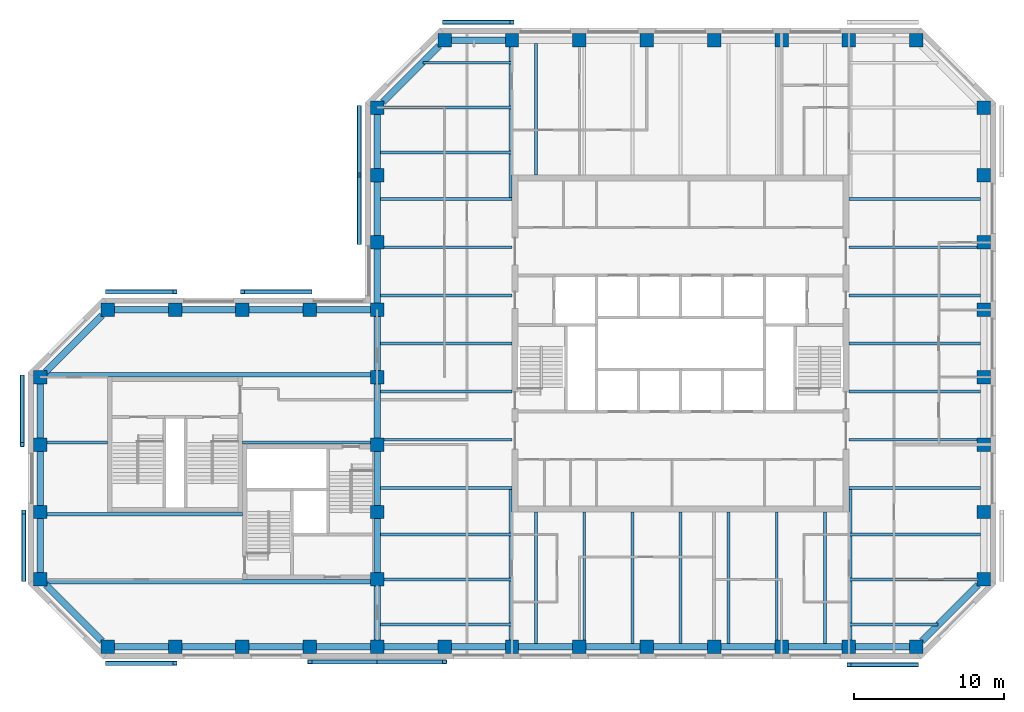
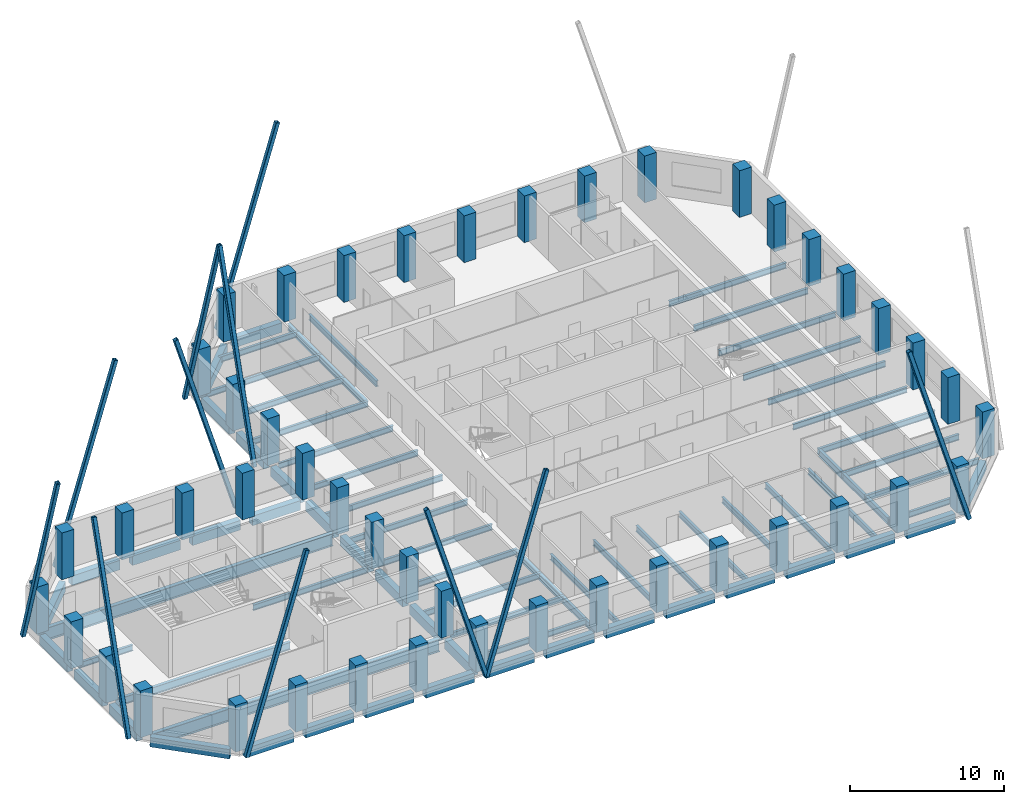
# One storey, part 1 of 9: 71 beams, 45 columns, 11 members.
"""IFC4 building model written with IfcOpenShell, lengths in metres."""

from ifc_helpers import new_model, si_unit, direction, frame, origin, origin_2d, place, context, subcontext, project, spatial, rectangle, hollow_rectangle, i_section, extrude, material, material_profile, profile_set, type_object, element, save


model = new_model("IFC4")

# Units and contexts
model_context = context("Model", 3, precision=1e-05, world=origin(), true_north=direction((0.0, 1.0)))
body_context = subcontext(model_context, "Body", "Model", "MODEL_VIEW")
ifc_project = project(units=[si_unit("LENGTHUNIT", "METRE"), si_unit("AREAUNIT", "SQUARE_METRE"), si_unit("VOLUMEUNIT", "CUBIC_METRE"), si_unit("PLANEANGLEUNIT", "RADIAN"), si_unit("MASSUNIT", "GRAM", prefix="KILO")], contexts=[model_context])

# Site, building, storey
site_placement = place(None, origin())
site = spatial("IfcSite", under=ifc_project, at=site_placement, CompositionType="ELEMENT")
building_placement = place(site_placement, origin())
building = spatial("IfcBuilding", under=site, at=building_placement, Name="Quoin Convention Tower", CompositionType="ELEMENT")
storey_placement = place(building_placement, frame((0.0, 0.0, 219.300048828125)))
storey = spatial("IfcBuildingStorey", under=building, at=storey_placement, Name="L57", CompositionType="ELEMENT", Elevation=219.300048828125)

# Columns
ifc_material_1 = material(Name="Concrete C50", Category="concrete")
ifc_material_profile_1 = material_profile(ifc_material_1, rectangle(XDim=0.89990234375, YDim=0.89990234375, at=origin_2d()), Name="RC 900x900")
ifc_profile_set_1 = profile_set([ifc_material_profile_1], Name="Concrete C50")
column_type = type_object("IfcColumnType", Name="RC 900x900 C50", PredefinedType="COLUMN", material=ifc_profile_set_1)
for number, where, z_axis, x_axis, name in (
    (1, (18.0, 40.5, 0.0), (0.0, 0.0, 1.0), (1.0, 0.0, 0.0), "col-L57-18000_40500"),
    (2, (22.5, 40.5, 0.0), (0.0, 0.0, 1.0), (1.0, 0.0, 0.0), "col-L57-22500_40500"),
    (3, (27.0, 40.5, 0.0), (0.0, 0.0, 1.0), (1.0, 0.0, 0.0), "col-L57-27000_40500"),
    (4, (31.5, 40.5, 0.0), (0.0, 0.0, 1.0), (1.0, 0.0, 0.0), "col-L57-31500_40500"),
    (5, (36.0, 40.5, 0.0), (0.0, 0.0, 1.0), (1.0, 0.0, 0.0), "col-L57-36000_40500"),
    (6, (40.5, 40.5, 0.0), (0.0, 0.0, 1.0), (1.0, 0.0, 0.0), "col-L57-40500_40500"),
    (7, (45.0, 40.5, 0.0), (0.0, 0.0, 1.0), (1.0, 0.0, 0.0), "col-L57-45000_40500"),
    (8, (49.5, 40.5, 0.0), (0.0, 0.0, 1.0), (1.0, 0.0, 0.0), "col-L57-49500_40500"),
    (9, (54.0, 40.5, 0.0), (0.0, 0.0, 1.0), (1.0, 0.0, 0.0), "col-L57-54000_40500"),
    (10, (58.5, 40.5, 0.0), (0.0, 0.0, 1.0), (1.0, 0.0, 0.0), "col-L57-58500_40500"),
    (11, (63.0, 40.5, 0.0), (0.0, 0.0, 1.0), (1.0, 0.0, 0.0), "col-L57-63000_40500"),
    (12, (67.5, 40.5, 0.0), (0.0, 0.0, 1.0), (1.0, 0.0, 0.0), "col-L57-67500_40500"),
    (13, (72.0, 40.5, 0.0), (0.0, 0.0, 1.0), (1.0, 0.0, 0.0), "col-L57-72000_40500"),
    (14, (13.5, 45.0, 0.0), (0.0, 0.0, 1.0), (1.0, 0.0, 0.0), "col-L57-13500_45000"),
    (15, (36.0, 45.0, 0.0), (0.0, 0.0, 1.0), (1.0, 0.0, 0.0), "web-L57-36000_45000"),
    (16, (76.5, 45.0, 0.0), (0.0, 0.0, 1.0), (1.0, 0.0, 0.0), "col-L57-76500_45000"),
    (17, (13.5, 49.5, 0.0), (0.0, 0.0, 1.0), (1.0, 0.0, 0.0), "col-L57-13500_49500"),
    (18, (36.0, 49.5, 0.0), (0.0, 0.0, 1.0), (1.0, 0.0, 0.0), "web-L57-36000_49500"),
    (19, (76.5, 49.5, 0.0), (0.0, 0.0, 1.0), (1.0, 0.0, 0.0), "col-L57-76500_49500"),
    (20, (13.5, 54.0, 0.0), (0.0, 0.0, 1.0), (1.0, 0.0, 0.0), "col-L57-13500_54000"),
    (21, (36.0, 54.0, 0.0), (0.0, 0.0, 1.0), (1.0, 0.0, 0.0), "web-L57-36000_54000"),
    (22, (76.5, 54.0, 0.0), (0.0, 0.0, 1.0), (1.0, 0.0, 0.0), "col-L57-76500_54000"),
    (23, (13.5, 58.5, 0.0), (0.0, 0.0, 1.0), (1.0, 0.0, 0.0), "col-L57-13500_58500"),
    (24, (36.0, 58.5, 0.0), (0.0, 0.0, 1.0), (1.0, 0.0, 0.0), "web-L57-36000_58500"),
    (25, (76.5, 58.5, 0.0), (0.0, 0.0, 1.0), (1.0, 0.0, 0.0), "col-L57-76500_58500"),
    (26, (18.0, 63.0, 0.0), (0.0, 0.0, 1.0), (1.0, 0.0, 0.0), "col-L57-18000_63000"),
    (27, (22.5, 63.0, 0.0), (0.0, 0.0, 1.0), (1.0, 0.0, 0.0), "col-L57-22500_63000"),
    (28, (27.0, 63.0, 0.0), (0.0, 0.0, 1.0), (1.0, 0.0, 0.0), "col-L57-27000_63000"),
    (29, (31.5, 63.0, 0.0), (0.0, 0.0, 1.0), (1.0, 0.0, 0.0), "col-L57-31500_63000"),
    (30, (36.0, 63.0, 0.0), (0.0, 0.0, 1.0), (1.0, 0.0, 0.0), "col-L57-36000_63000"),
    (31, (76.5, 63.0, 0.0), (0.0, 0.0, 1.0), (1.0, 0.0, 0.0), "col-L57-76500_63000"),
    (32, (36.0, 67.5, 0.0), (0.0, 0.0, 1.0), (1.0, 0.0, 0.0), "col-L57-36000_67500"),
    (33, (76.5, 67.5, 0.0), (0.0, 0.0, 1.0), (1.0, 0.0, 0.0), "col-L57-76500_67500"),
    (34, (36.0, 72.0, 0.0), (0.0, 0.0, 1.0), (1.0, 0.0, 0.0), "col-L57-36000_72000"),
    (35, (76.5, 72.0, 0.0), (0.0, 0.0, 1.0), (1.0, 0.0, 0.0), "col-L57-76500_72000"),
    (36, (36.0, 76.5, 0.0), (0.0, 0.0, 1.0), (1.0, 0.0, 0.0), "col-L57-36000_76500"),
    (37, (76.5, 76.5, 0.0), (0.0, 0.0, 1.0), (1.0, 0.0, 0.0), "col-L57-76500_76500"),
    (38, (40.5, 81.0, 0.0), (0.0, 0.0, 1.0), (1.0, 0.0, 0.0), "col-L57-40500_81000"),
    (39, (45.0, 81.0, 0.0), (0.0, 0.0, 1.0), (1.0, 0.0, 0.0), "col-L57-45000_81000"),
    (40, (49.5, 81.0, 0.0), (0.0, 0.0, 1.0), (1.0, 0.0, 0.0), "col-L57-49500_81000"),
    (41, (54.0, 81.0, 0.0), (0.0, 0.0, 1.0), (1.0, 0.0, 0.0), "col-L57-54000_81000"),
    (42, (58.5, 81.0, 0.0), (0.0, 0.0, 1.0), (1.0, 0.0, 0.0), "col-L57-58500_81000"),
    (43, (63.0, 81.0, 0.0), (0.0, 0.0, 1.0), (1.0, 0.0, 0.0), "col-L57-63000_81000"),
    (44, (67.5, 81.0, 0.0), (0.0, 0.0, 1.0), (1.0, 0.0, 0.0), "col-L57-67500_81000"),
    (45, (72.0, 81.0, 0.0), (0.0, 0.0, 1.0), (1.0, 0.0, 0.0), "col-L57-72000_81000"),
):
    element("IfcColumn", number, at=place(storey_placement, frame(where, z_axis=z_axis, x_axis=x_axis)), inside=storey, type_object=column_type, Name=name, PredefinedType="COLUMN", context=body_context, shape_type="SweptSolid", body=[
        extrude(rectangle(XDim=0.89990234375, YDim=0.89990234375, at=origin_2d()), origin(), (0.0, 0.0, 1.0), 3.699951171875),
    ])

# Beams
ifc_material_2 = material(Name="Steel Grade 300", Category="steel")
ifc_material_profile_2 = material_profile(ifc_material_2, i_section(OverallWidth=0.300048828125, OverallDepth=1.0, WebThickness=0.01611328125, FlangeThickness=0.02001953125, at=origin_2d()), Name="1000WB215")
ifc_profile_set_2 = profile_set([ifc_material_profile_2], Name="Steel Grade 300")
beam_type_1 = type_object("IfcBeamType", Name="1000WB215", PredefinedType="BEAM", material=ifc_profile_set_2)
for number, where, z_axis, x_axis, name in (
    (46, (13.949951171875, 44.85009765625, -0.650146484375), (1.0, 0.0, 0.0), (0.0, 1.0, 0.0), "gir-L57-ST2-1-0"),
    (47, (13.949951171875, 58.64990234375, -0.650146484375), (1.0, 0.0, 0.0), (0.0, 1.0, 0.0), "gir-L57-ST2-4-0"),
):
    element("IfcBeam", number, at=place(storey_placement, frame(where, z_axis=z_axis, x_axis=x_axis)), inside=storey, type_object=beam_type_1, Name=name, PredefinedType="BEAM", context=body_context, shape_type="SweptSolid", body=[
        extrude(i_section(OverallWidth=0.300048828125, OverallDepth=1.0, WebThickness=0.01611328125, FlangeThickness=0.02001953125, at=origin_2d()), origin(), (0.0, 0.0, 1.0), 21.60009765625),
    ])
ifc_material_profile_3 = material_profile(ifc_material_2, i_section(OverallWidth=0.18994140625, OverallDepth=0.4541015625, WebThickness=0.008544921875, FlangeThickness=0.0126953125, FilletRadius=0.011474609375, at=origin_2d()), Name="460UB67.1")
ifc_profile_set_3 = profile_set([ifc_material_profile_3], Name="Steel Grade 300")
beam_type_2 = type_object("IfcBeamType", Name="460UB67.1", PredefinedType="BEAM", material=ifc_profile_set_3)
beam_1_placement = place(storey_placement, frame((36.22509765625, 51.107177734375, -0.376953125), z_axis=(1.0, 0.0, 0.0), x_axis=(0.0, 1.0, 0.0)))
element("IfcBeam", 48, at=beam_1_placement, inside=storey, type_object=beam_type_2, Name="bm-L57-T1W0", PredefinedType="BEAM", context=body_context, shape_type="SweptSolid", body=[
    extrude(i_section(OverallWidth=0.18994140625, OverallDepth=0.4541015625, WebThickness=0.008544921875, FlangeThickness=0.0126953125, FilletRadius=0.011474609375, at=origin_2d()), origin(), (0.0, 0.0, 1.0), 8.77490234375),
])
beam_2_placement = place(storey_placement, frame((36.449951171875, 54.3212890625, -0.376953125), z_axis=(1.0, 0.0, 0.0), x_axis=(0.0, 1.0, 0.0)))
element("IfcBeam", 49, at=beam_2_placement, inside=storey, type_object=beam_type_2, Name="bm-L57-T1W1", PredefinedType="BEAM", context=body_context, shape_type="SweptSolid", body=[
    extrude(i_section(OverallWidth=0.18994140625, OverallDepth=0.4541015625, WebThickness=0.008544921875, FlangeThickness=0.0126953125, FilletRadius=0.011474609375, at=origin_2d()), origin(), (0.0, 0.0, 1.0), 8.550048828125),
])
for number, where, z_axis, x_axis, name in (
    (50, (36.22509765625, 57.53564453125, -0.376953125), (1.0, 0.0, 0.0), (0.0, 1.0, 0.0), "bm-L57-T1W2"),
    (51, (36.22509765625, 60.75, -0.376953125), (1.0, 0.0, 0.0), (0.0, 1.0, 0.0), "bm-L57-T1W3"),
    (52, (36.22509765625, 63.96435546875, -0.376953125), (1.0, 0.0, 0.0), (0.0, 1.0, 0.0), "bm-L57-T1W4"),
):
    element("IfcBeam", number, at=place(storey_placement, frame(where, z_axis=z_axis, x_axis=x_axis)), inside=storey, type_object=beam_type_2, Name=name, PredefinedType="BEAM", context=body_context, shape_type="SweptSolid", body=[
        extrude(i_section(OverallWidth=0.18994140625, OverallDepth=0.4541015625, WebThickness=0.008544921875, FlangeThickness=0.0126953125, FilletRadius=0.011474609375, at=origin_2d()), origin(), (0.0, 0.0, 1.0), 8.77490234375),
    ])
beam_3_placement = place(storey_placement, frame((36.449951171875, 67.1787109375, -0.376953125), z_axis=(1.0, 0.0, 0.0), x_axis=(0.0, 1.0, 0.0)))
element("IfcBeam", 53, at=beam_3_placement, inside=storey, type_object=beam_type_2, Name="bm-L57-T1W5", PredefinedType="BEAM", context=body_context, shape_type="SweptSolid", body=[
    extrude(i_section(OverallWidth=0.18994140625, OverallDepth=0.4541015625, WebThickness=0.008544921875, FlangeThickness=0.0126953125, FilletRadius=0.011474609375, at=origin_2d()), origin(), (0.0, 0.0, 1.0), 8.550048828125),
])
for number, where, z_axis, x_axis, name in (
    (54, (36.22509765625, 70.392822265625, -0.376953125), (1.0, 0.0, 0.0), (0.0, 1.0, 0.0), "bm-L57-T1W6"),
    (55, (67.5, 51.107177734375, -0.376953125), (1.0, 0.0, 0.0), (0.0, 1.0, 0.0), "bm-L57-T1E0"),
):
    element("IfcBeam", number, at=place(storey_placement, frame(where, z_axis=z_axis, x_axis=x_axis)), inside=storey, type_object=beam_type_2, Name=name, PredefinedType="BEAM", context=body_context, shape_type="SweptSolid", body=[
        extrude(i_section(OverallWidth=0.18994140625, OverallDepth=0.4541015625, WebThickness=0.008544921875, FlangeThickness=0.0126953125, FilletRadius=0.011474609375, at=origin_2d()), origin(), (0.0, 0.0, 1.0), 8.77490234375),
    ])
beam_4_placement = place(storey_placement, frame((67.5, 54.3212890625, -0.376953125), z_axis=(1.0, 0.0, 0.0), x_axis=(0.0, 1.0, 0.0)))
element("IfcBeam", 56, at=beam_4_placement, inside=storey, type_object=beam_type_2, Name="bm-L57-T1E1", PredefinedType="BEAM", context=body_context, shape_type="SweptSolid", body=[
    extrude(i_section(OverallWidth=0.18994140625, OverallDepth=0.4541015625, WebThickness=0.008544921875, FlangeThickness=0.0126953125, FilletRadius=0.011474609375, at=origin_2d()), origin(), (0.0, 0.0, 1.0), 8.550048828125),
])
for number, where, z_axis, x_axis, name in (
    (57, (67.5, 57.53564453125, -0.376953125), (1.0, 0.0, 0.0), (0.0, 1.0, 0.0), "bm-L57-T1E2"),
    (58, (67.5, 60.75, -0.376953125), (1.0, 0.0, 0.0), (0.0, 1.0, 0.0), "bm-L57-T1E3"),
    (59, (67.5, 63.96435546875, -0.376953125), (1.0, 0.0, 0.0), (0.0, 1.0, 0.0), "bm-L57-T1E4"),
):
    element("IfcBeam", number, at=place(storey_placement, frame(where, z_axis=z_axis, x_axis=x_axis)), inside=storey, type_object=beam_type_2, Name=name, PredefinedType="BEAM", context=body_context, shape_type="SweptSolid", body=[
        extrude(i_section(OverallWidth=0.18994140625, OverallDepth=0.4541015625, WebThickness=0.008544921875, FlangeThickness=0.0126953125, FilletRadius=0.011474609375, at=origin_2d()), origin(), (0.0, 0.0, 1.0), 8.77490234375),
    ])
beam_5_placement = place(storey_placement, frame((67.5, 67.1787109375, -0.376953125), z_axis=(1.0, 0.0, 0.0), x_axis=(0.0, 1.0, 0.0)))
element("IfcBeam", 60, at=beam_5_placement, inside=storey, type_object=beam_type_2, Name="bm-L57-T1E5", PredefinedType="BEAM", context=body_context, shape_type="SweptSolid", body=[
    extrude(i_section(OverallWidth=0.18994140625, OverallDepth=0.4541015625, WebThickness=0.008544921875, FlangeThickness=0.0126953125, FilletRadius=0.011474609375, at=origin_2d()), origin(), (0.0, 0.0, 1.0), 8.550048828125),
])
for number, where, z_axis, x_axis, name in (
    (61, (67.5, 70.392822265625, -0.376953125), (1.0, 0.0, 0.0), (0.0, 1.0, 0.0), "bm-L57-T1E6"),
    (62, (46.607177734375, 40.72509765625, -0.376953125), (0.0, 1.0, 0.0), (-1.0, 0.0, 0.0), "bm-L57-T1S0"),
):
    element("IfcBeam", number, at=place(storey_placement, frame(where, z_axis=z_axis, x_axis=x_axis)), inside=storey, type_object=beam_type_2, Name=name, PredefinedType="BEAM", context=body_context, shape_type="SweptSolid", body=[
        extrude(i_section(OverallWidth=0.18994140625, OverallDepth=0.4541015625, WebThickness=0.008544921875, FlangeThickness=0.0126953125, FilletRadius=0.011474609375, at=origin_2d()), origin(), (0.0, 0.0, 1.0), 8.77490234375),
    ])
beam_6_placement = place(storey_placement, frame((49.8212890625, 40.949951171875, -0.376953125), z_axis=(0.0, 1.0, 0.0), x_axis=(-1.0, 0.0, 0.0)))
element("IfcBeam", 63, at=beam_6_placement, inside=storey, type_object=beam_type_2, Name="bm-L57-T1S1", PredefinedType="BEAM", context=body_context, shape_type="SweptSolid", body=[
    extrude(i_section(OverallWidth=0.18994140625, OverallDepth=0.4541015625, WebThickness=0.008544921875, FlangeThickness=0.0126953125, FilletRadius=0.011474609375, at=origin_2d()), origin(), (0.0, 0.0, 1.0), 8.550048828125),
])
for number, where, z_axis, x_axis, name in (
    (64, (53.03564453125, 40.72509765625, -0.376953125), (0.0, 1.0, 0.0), (-1.0, 0.0, 0.0), "bm-L57-T1S2"),
    (65, (56.25, 40.72509765625, -0.376953125), (0.0, 1.0, 0.0), (-1.0, 0.0, 0.0), "bm-L57-T1S3"),
    (66, (59.46435546875, 40.72509765625, -0.376953125), (0.0, 1.0, 0.0), (-1.0, 0.0, 0.0), "bm-L57-T1S4"),
):
    element("IfcBeam", number, at=place(storey_placement, frame(where, z_axis=z_axis, x_axis=x_axis)), inside=storey, type_object=beam_type_2, Name=name, PredefinedType="BEAM", context=body_context, shape_type="SweptSolid", body=[
        extrude(i_section(OverallWidth=0.18994140625, OverallDepth=0.4541015625, WebThickness=0.008544921875, FlangeThickness=0.0126953125, FilletRadius=0.011474609375, at=origin_2d()), origin(), (0.0, 0.0, 1.0), 8.77490234375),
    ])
beam_7_placement = place(storey_placement, frame((62.6787109375, 40.949951171875, -0.376953125), z_axis=(0.0, 1.0, 0.0), x_axis=(-1.0, 0.0, 0.0)))
element("IfcBeam", 67, at=beam_7_placement, inside=storey, type_object=beam_type_2, Name="bm-L57-T1S5", PredefinedType="BEAM", context=body_context, shape_type="SweptSolid", body=[
    extrude(i_section(OverallWidth=0.18994140625, OverallDepth=0.4541015625, WebThickness=0.008544921875, FlangeThickness=0.0126953125, FilletRadius=0.011474609375, at=origin_2d()), origin(), (0.0, 0.0, 1.0), 8.550048828125),
])
for number, where, z_axis, x_axis, name in (
    (68, (65.892822265625, 40.72509765625, -0.376953125), (0.0, 1.0, 0.0), (-1.0, 0.0, 0.0), "bm-L57-T1S6"),
    (69, (46.607177734375, 72.0, -0.376953125), (0.0, 1.0, 0.0), (-1.0, 0.0, 0.0), "bm-L57-T1N0"),
    (70, (36.22509765625, 42.0, -0.376953125), (1.0, 0.0, 0.0), (0.0, 1.0, 0.0), "bm-L57-T1SW0"),
):
    element("IfcBeam", number, at=place(storey_placement, frame(where, z_axis=z_axis, x_axis=x_axis)), inside=storey, type_object=beam_type_2, Name=name, PredefinedType="BEAM", context=body_context, shape_type="SweptSolid", body=[
        extrude(i_section(OverallWidth=0.18994140625, OverallDepth=0.4541015625, WebThickness=0.008544921875, FlangeThickness=0.0126953125, FilletRadius=0.011474609375, at=origin_2d()), origin(), (0.0, 0.0, 1.0), 8.77490234375),
    ])
beam_8_placement = place(storey_placement, frame((36.449951171875, 45.0, -0.376953125), z_axis=(1.0, 0.0, 0.0), x_axis=(0.0, 1.0, 0.0)))
element("IfcBeam", 71, at=beam_8_placement, inside=storey, type_object=beam_type_2, Name="bm-L57-T1SW1", PredefinedType="BEAM", context=body_context, shape_type="SweptSolid", body=[
    extrude(i_section(OverallWidth=0.18994140625, OverallDepth=0.4541015625, WebThickness=0.008544921875, FlangeThickness=0.0126953125, FilletRadius=0.011474609375, at=origin_2d()), origin(), (0.0, 0.0, 1.0), 8.550048828125),
])
beam_9_placement = place(storey_placement, frame((36.22509765625, 48.0, -0.376953125), z_axis=(1.0, 0.0, 0.0), x_axis=(0.0, 1.0, 0.0)))
element("IfcBeam", 72, at=beam_9_placement, inside=storey, type_object=beam_type_2, Name="bm-L57-T1SW2", PredefinedType="BEAM", context=body_context, shape_type="SweptSolid", body=[
    extrude(i_section(OverallWidth=0.18994140625, OverallDepth=0.4541015625, WebThickness=0.008544921875, FlangeThickness=0.0126953125, FilletRadius=0.011474609375, at=origin_2d()), origin(), (0.0, 0.0, 1.0), 8.77490234375),
])
beam_10_placement = place(storey_placement, frame((67.5, 42.0, -0.376953125), z_axis=(1.0, 0.0, 0.0), x_axis=(0.0, 1.0, 0.0)))
element("IfcBeam", 73, at=beam_10_placement, inside=storey, type_object=beam_type_2, Name="bm-L57-T1SE0", PredefinedType="BEAM", context=body_context, shape_type="SweptSolid", body=[
    extrude(i_section(OverallWidth=0.18994140625, OverallDepth=0.4541015625, WebThickness=0.008544921875, FlangeThickness=0.0126953125, FilletRadius=0.011474609375, at=origin_2d()), origin(), (0.0, 0.0, 1.0), 5.935791015625),
])
beam_11_placement = place(storey_placement, frame((67.5, 45.0, -0.376953125), z_axis=(1.0, 0.0, 0.0), x_axis=(0.0, 1.0, 0.0)))
element("IfcBeam", 74, at=beam_11_placement, inside=storey, type_object=beam_type_2, Name="bm-L57-T1SE1", PredefinedType="BEAM", context=body_context, shape_type="SweptSolid", body=[
    extrude(i_section(OverallWidth=0.18994140625, OverallDepth=0.4541015625, WebThickness=0.008544921875, FlangeThickness=0.0126953125, FilletRadius=0.011474609375, at=origin_2d()), origin(), (0.0, 0.0, 1.0), 8.550048828125),
])
beam_12_placement = place(storey_placement, frame((67.5, 48.0, -0.376953125), z_axis=(1.0, 0.0, 0.0), x_axis=(0.0, 1.0, 0.0)))
element("IfcBeam", 75, at=beam_12_placement, inside=storey, type_object=beam_type_2, Name="bm-L57-T1SE2", PredefinedType="BEAM", context=body_context, shape_type="SweptSolid", body=[
    extrude(i_section(OverallWidth=0.18994140625, OverallDepth=0.4541015625, WebThickness=0.008544921875, FlangeThickness=0.0126953125, FilletRadius=0.011474609375, at=origin_2d()), origin(), (0.0, 0.0, 1.0), 8.77490234375),
])
beam_13_placement = place(storey_placement, frame((39.064208984375, 79.5, -0.376953125), z_axis=(1.0, 0.0, 0.0), x_axis=(0.0, 1.0, 0.0)))
element("IfcBeam", 76, at=beam_13_placement, inside=storey, type_object=beam_type_2, Name="bm-L57-T1NW0", PredefinedType="BEAM", context=body_context, shape_type="SweptSolid", body=[
    extrude(i_section(OverallWidth=0.18994140625, OverallDepth=0.4541015625, WebThickness=0.008544921875, FlangeThickness=0.0126953125, FilletRadius=0.011474609375, at=origin_2d()), origin(), (0.0, 0.0, 1.0), 5.935791015625),
])
beam_14_placement = place(storey_placement, frame((36.449951171875, 76.5, -0.376953125), z_axis=(1.0, 0.0, 0.0), x_axis=(0.0, 1.0, 0.0)))
element("IfcBeam", 77, at=beam_14_placement, inside=storey, type_object=beam_type_2, Name="bm-L57-T1NW1", PredefinedType="BEAM", context=body_context, shape_type="SweptSolid", body=[
    extrude(i_section(OverallWidth=0.18994140625, OverallDepth=0.4541015625, WebThickness=0.008544921875, FlangeThickness=0.0126953125, FilletRadius=0.011474609375, at=origin_2d()), origin(), (0.0, 0.0, 1.0), 8.550048828125),
])
beam_15_placement = place(storey_placement, frame((36.22509765625, 73.5, -0.376953125), z_axis=(1.0, 0.0, 0.0), x_axis=(0.0, 1.0, 0.0)))
element("IfcBeam", 78, at=beam_15_placement, inside=storey, type_object=beam_type_2, Name="bm-L57-T1NW2", PredefinedType="BEAM", context=body_context, shape_type="SweptSolid", body=[
    extrude(i_section(OverallWidth=0.18994140625, OverallDepth=0.4541015625, WebThickness=0.008544921875, FlangeThickness=0.0126953125, FilletRadius=0.011474609375, at=origin_2d()), origin(), (0.0, 0.0, 1.0), 8.77490234375),
])
beam_16_placement = place(storey_placement, frame((13.949951171875, 54.14990234375, -0.376953125), z_axis=(1.0, 0.0, 0.0), x_axis=(0.0, 1.0, 0.0)))
element("IfcBeam", 79, at=beam_16_placement, inside=storey, type_object=beam_type_2, Name="gir-L57-ST2-3-0", PredefinedType="BEAM", context=body_context, shape_type="SweptSolid", body=[
    extrude(i_section(OverallWidth=0.18994140625, OverallDepth=0.4541015625, WebThickness=0.008544921875, FlangeThickness=0.0126953125, FilletRadius=0.011474609375, at=origin_2d()), origin(), (0.0, 0.0, 1.0), 4.050048828125),
])
beam_17_placement = place(storey_placement, frame((27.0, 54.14990234375, -0.376953125), z_axis=(1.0, 0.0, 0.0), x_axis=(0.0, 1.0, 0.0)))
element("IfcBeam", 80, at=beam_17_placement, inside=storey, type_object=beam_type_2, Name="gir-L57-ST2-3-1", PredefinedType="BEAM", context=body_context, shape_type="SweptSolid", body=[
    extrude(i_section(OverallWidth=0.18994140625, OverallDepth=0.4541015625, WebThickness=0.008544921875, FlangeThickness=0.0126953125, FilletRadius=0.011474609375, at=origin_2d()), origin(), (0.0, 0.0, 1.0), 8.550048828125),
])
ifc_material_profile_4 = material_profile(ifc_material_2, i_section(OverallWidth=0.208984375, OverallDepth=0.528076171875, WebThickness=0.009521484375, FlangeThickness=0.01318359375, FilletRadius=0.013916015625, at=origin_2d()), Name="530UB82.0")
ifc_profile_set_4 = profile_set([ifc_material_profile_4], Name="Steel Grade 300")
beam_type_3 = type_object("IfcBeamType", Name="530UB82.0", PredefinedType="BEAM", material=ifc_profile_set_4)
for number, where, z_axis, x_axis, name in (
    (81, (44.904541015625, 40.949951171875, -0.4140625), (0.0, 1.0, 0.0), (-1.0, 0.0, 0.0), "gir-L57-T1SW"),
    (82, (67.595458984375, 40.949951171875, -0.4140625), (0.0, 1.0, 0.0), (-1.0, 0.0, 0.0), "gir-L57-T1SE"),
    (83, (44.904541015625, 80.550048828125, -0.4140625), (0.0, -1.0, 0.0), (1.0, 0.0, 0.0), "gir-L57-T1NW"),
):
    element("IfcBeam", number, at=place(storey_placement, frame(where, z_axis=z_axis, x_axis=x_axis)), inside=storey, type_object=beam_type_3, Name=name, PredefinedType="BEAM", context=body_context, shape_type="SweptSolid", body=[
        extrude(i_section(OverallWidth=0.208984375, OverallDepth=0.528076171875, WebThickness=0.009521484375, FlangeThickness=0.01318359375, FilletRadius=0.013916015625, at=origin_2d()), origin(), (0.0, 0.0, 1.0), 10.062255859375),
    ])
ifc_material_profile_5 = material_profile(ifc_material_2, i_section(OverallWidth=0.22802734375, OverallDepth=0.60205078125, WebThickness=0.010498046875, FlangeThickness=0.014892578125, FilletRadius=0.013916015625, at=origin_2d()), Name="610UB101")
ifc_profile_set_5 = profile_set([ifc_material_profile_5], Name="Steel Grade 300")
beam_type_4 = type_object("IfcBeamType", Name="610UB101", PredefinedType="BEAM", material=ifc_profile_set_5)
beam_18_placement = place(storey_placement, frame((13.949951171875, 49.35009765625, -0.450927734375), z_axis=(1.0, 0.0, 0.0), x_axis=(0.0, 1.0, 0.0)))
element("IfcBeam", 84, at=beam_18_placement, inside=storey, type_object=beam_type_4, Name="gir-L57-ST2-2-0", PredefinedType="BEAM", context=body_context, shape_type="SweptSolid", body=[
    extrude(i_section(OverallWidth=0.22802734375, OverallDepth=0.60205078125, WebThickness=0.010498046875, FlangeThickness=0.014892578125, FilletRadius=0.013916015625, at=origin_2d()), origin(), (0.0, 0.0, 1.0), 13.050048828125),
])

# Members
ifc_material_3 = material(Name="Steel C450L0", Category="steel")
ifc_material_profile_6 = material_profile(ifc_material_3, hollow_rectangle(XDim=0.300048828125, YDim=0.300048828125, WallThickness=0.012451171875, InnerFilletRadius=0.018798828125, OuterFilletRadius=0.03125, at=origin_2d()), Name="300x300x12.5SHS")
ifc_profile_set_6 = profile_set([ifc_material_profile_6], Name="Steel C450L0")
member_type = type_object("IfcMemberType", Name="Exposed brace 300x300x12.5SHS", PredefinedType="BRACE", material=ifc_profile_set_6)
for number, where, z_axis, x_axis, name in (
    (85, (12.300048828125, 58.5, -0.074951171875), (0.0, -0.290907879885, 0.956751067635), (1.0, 0.0, 0.0), "brc-L57-13500_58500-13500_54000"),
    (86, (12.39990234375, 45.0, -0.074951171875), (0.0, 0.290907879885, 0.956751067635), (-1.0, 0.0, 0.0), "brc-L57-13500_49500-13500_45000"),
    (87, (18.0, 39.39990234375, -0.074951171875), (0.290907879885, 0.0, 0.956751067635), (0.0, 1.0, 0.0), "brc-L57-18000_40500-22500_40500"),
    (88, (36.0, 39.5, -0.074951171875), (-0.290907879885, 0.0, 0.956751067635), (0.0, -1.0, 0.0), "brc-L57-31500_40500-36000_40500"),
    (89, (36.0, 39.5, -0.074951171875), (0.290907879885, 0.0, 0.956751067635), (0.0, 1.0, 0.0), "brc-L57-36000_40500-40500_40500"),
    (90, (72.0, 39.300048828125, -0.074951171875), (-0.290907879885, 0.0, 0.956751067635), (0.0, -1.0, 0.0), "brc-L57-67500_40500-72000_40500"),
    (91, (31.5, 64.199951171875, -0.074951171875), (-0.290907879885, 0.0, 0.956751067635), (0.0, -1.0, 0.0), "brc-L57-31500_63000-27000_63000"),
    (92, (18.0, 64.199951171875, -0.074951171875), (0.290907879885, 0.0, 0.956751067635), (0.0, 1.0, 0.0), "brc-L57-22500_63000-18000_63000"),
    (93, (34.800048828125, 76.5, -0.074951171875), (0.0, -0.290907879885, 0.956751067635), (1.0, 0.0, 0.0), "brc-L57-36000_76500-36000_72000"),
    (94, (34.800048828125, 67.5, -0.074951171875), (0.0, 0.290907879885, 0.956751067635), (-1.0, 0.0, 0.0), "brc-L57-36000_72000-36000_67500"),
    (95, (40.5, 82.199951171875, -0.074951171875), (0.290907879885, 0.0, 0.956751067635), (0.0, 1.0, 0.0), "brc-L57-45000_81000-40500_81000"),
):
    element("IfcMember", number, at=place(storey_placement, frame(where, z_axis=z_axis, x_axis=x_axis)), inside=storey, type_object=member_type, Name=name, PredefinedType="BRACE", context=body_context, shape_type="SweptSolid", body=[
        extrude(hollow_rectangle(XDim=0.300048828125, YDim=0.300048828125, WallThickness=0.012451171875, InnerFilletRadius=0.018798828125, OuterFilletRadius=0.03125, at=origin_2d()), origin(), (0.0, 0.0, 1.0), 15.46875),
    ])

# Beams
ifc_material_profile_7 = material_profile(ifc_material_1, rectangle(XDim=0.449951171875, YDim=0.75, at=origin_2d()), Name="RC 450x750")
ifc_profile_set_7 = profile_set([ifc_material_profile_7], Name="Concrete C50")
beam_type_5 = type_object("IfcBeamType", Name="RC 450x750 C50", PredefinedType="SPANDREL", material=ifc_profile_set_7)
for number, where, z_axis, x_axis, name in (
    (96, (36.449951171875, 40.5, -0.525146484375), (1.0, 0.0, 0.0), (0.0, 1.0, 0.0), "spd-L57-36000_40500-40500_40500"),
    (97, (40.949951171875, 40.5, -0.525146484375), (1.0, 0.0, 0.0), (0.0, 1.0, 0.0), "spd-L57-40500_40500-45000_40500"),
    (98, (45.449951171875, 40.5, -0.525146484375), (1.0, 0.0, 0.0), (0.0, 1.0, 0.0), "spd-L57-45000_40500-49500_40500"),
    (99, (49.949951171875, 40.5, -0.525146484375), (1.0, 0.0, 0.0), (0.0, 1.0, 0.0), "spd-L57-49500_40500-54000_40500"),
    (100, (54.449951171875, 40.5, -0.525146484375), (1.0, 0.0, 0.0), (0.0, 1.0, 0.0), "spd-L57-54000_40500-58500_40500"),
    (101, (58.949951171875, 40.5, -0.525146484375), (1.0, 0.0, 0.0), (0.0, 1.0, 0.0), "spd-L57-58500_40500-63000_40500"),
    (102, (63.449951171875, 40.5, -0.525146484375), (1.0, 0.0, 0.0), (0.0, 1.0, 0.0), "spd-L57-63000_40500-67500_40500"),
    (103, (67.949951171875, 40.5, -0.525146484375), (1.0, 0.0, 0.0), (0.0, 1.0, 0.0), "spd-L57-67500_40500-72000_40500"),
):
    element("IfcBeam", number, at=place(storey_placement, frame(where, z_axis=z_axis, x_axis=x_axis)), inside=storey, type_object=beam_type_5, Name=name, PredefinedType="SPANDREL", context=body_context, shape_type="SweptSolid", body=[
        extrude(rectangle(XDim=0.449951171875, YDim=0.75, at=origin_2d()), origin(), (0.0, 0.0, 1.0), 3.60009765625),
    ])
beam_19_placement = place(storey_placement, frame((72.364990234375, 40.864990234375, -0.525146484375), z_axis=(0.707106781187, 0.707106781187, 0.0), x_axis=(-0.707106781187, 0.707106781187, 0.0)))
element("IfcBeam", 104, at=beam_19_placement, inside=storey, type_object=beam_type_5, Name="spd-L57-72000_40500-76500_45000", PredefinedType="SPANDREL", context=body_context, shape_type="SweptSolid", body=[
    extrude(rectangle(XDim=0.449951171875, YDim=0.75, at=origin_2d()), origin(), (0.0, 0.0, 1.0), 5.33154296875),
])
beam_20_placement = place(storey_placement, frame((44.550048828125, 81.0, -0.525146484375), z_axis=(-1.0, 0.0, 0.0), x_axis=(0.0, -1.0, 0.0)))
element("IfcBeam", 105, at=beam_20_placement, inside=storey, type_object=beam_type_5, Name="spd-L57-45000_81000-40500_81000", PredefinedType="SPANDREL", context=body_context, shape_type="SweptSolid", body=[
    extrude(rectangle(XDim=0.449951171875, YDim=0.75, at=origin_2d()), origin(), (0.0, 0.0, 1.0), 3.60009765625),
])
beam_21_placement = place(storey_placement, frame((40.135009765625, 80.635009765625, -0.525146484375), z_axis=(-0.707106781187, -0.707106781187, 0.0), x_axis=(0.707106781187, -0.707106781187, 0.0)))
element("IfcBeam", 106, at=beam_21_placement, inside=storey, type_object=beam_type_5, Name="spd-L57-40500_81000-36000_76500", PredefinedType="SPANDREL", context=body_context, shape_type="SweptSolid", body=[
    extrude(rectangle(XDim=0.449951171875, YDim=0.75, at=origin_2d()), origin(), (0.0, 0.0, 1.0), 5.33154296875),
])
for number, where, z_axis, x_axis, name in (
    (107, (36.0, 76.050048828125, -0.525146484375), (0.0, -1.0, 0.0), (1.0, 0.0, 0.0), "spd-L57-36000_76500-36000_72000"),
    (108, (36.0, 71.550048828125, -0.525146484375), (0.0, -1.0, 0.0), (1.0, 0.0, 0.0), "spd-L57-36000_72000-36000_67500"),
    (109, (36.0, 67.050048828125, -0.525146484375), (0.0, -1.0, 0.0), (1.0, 0.0, 0.0), "spd-L57-36000_67500-36000_63000"),
    (110, (35.550048828125, 63.0, -0.525146484375), (-1.0, 0.0, 0.0), (0.0, -1.0, 0.0), "spd-L57-36000_63000-31500_63000"),
    (111, (31.050048828125, 63.0, -0.525146484375), (-1.0, 0.0, 0.0), (0.0, -1.0, 0.0), "spd-L57-31500_63000-27000_63000"),
    (112, (26.550048828125, 63.0, -0.525146484375), (-1.0, 0.0, 0.0), (0.0, -1.0, 0.0), "spd-L57-27000_63000-22500_63000"),
    (113, (22.050048828125, 63.0, -0.525146484375), (-1.0, 0.0, 0.0), (0.0, -1.0, 0.0), "spd-L57-22500_63000-18000_63000"),
):
    element("IfcBeam", number, at=place(storey_placement, frame(where, z_axis=z_axis, x_axis=x_axis)), inside=storey, type_object=beam_type_5, Name=name, PredefinedType="SPANDREL", context=body_context, shape_type="SweptSolid", body=[
        extrude(rectangle(XDim=0.449951171875, YDim=0.75, at=origin_2d()), origin(), (0.0, 0.0, 1.0), 3.60009765625),
    ])
beam_22_placement = place(storey_placement, frame((17.635009765625, 62.635009765625, -0.525146484375), z_axis=(-0.707106781187, -0.707106781187, 0.0), x_axis=(0.707106781187, -0.707106781187, 0.0)))
element("IfcBeam", 114, at=beam_22_placement, inside=storey, type_object=beam_type_5, Name="spd-L57-18000_63000-13500_58500", PredefinedType="SPANDREL", context=body_context, shape_type="SweptSolid", body=[
    extrude(rectangle(XDim=0.449951171875, YDim=0.75, at=origin_2d()), origin(), (0.0, 0.0, 1.0), 5.33154296875),
])
for number, where, z_axis, x_axis, name in (
    (115, (13.5, 58.050048828125, -0.525146484375), (0.0, -1.0, 0.0), (1.0, 0.0, 0.0), "spd-L57-13500_58500-13500_54000"),
    (116, (13.5, 53.550048828125, -0.525146484375), (0.0, -1.0, 0.0), (1.0, 0.0, 0.0), "spd-L57-13500_54000-13500_49500"),
    (117, (13.5, 49.050048828125, -0.525146484375), (0.0, -1.0, 0.0), (1.0, 0.0, 0.0), "spd-L57-13500_49500-13500_45000"),
):
    element("IfcBeam", number, at=place(storey_placement, frame(where, z_axis=z_axis, x_axis=x_axis)), inside=storey, type_object=beam_type_5, Name=name, PredefinedType="SPANDREL", context=body_context, shape_type="SweptSolid", body=[
        extrude(rectangle(XDim=0.449951171875, YDim=0.75, at=origin_2d()), origin(), (0.0, 0.0, 1.0), 3.60009765625),
    ])
beam_23_placement = place(storey_placement, frame((13.864990234375, 44.635009765625, -0.525146484375), z_axis=(0.707106781187, -0.707106781187, 0.0), x_axis=(0.707106781187, 0.707106781187, 0.0)))
element("IfcBeam", 118, at=beam_23_placement, inside=storey, type_object=beam_type_5, Name="spd-L57-13500_45000-18000_40500", PredefinedType="SPANDREL", context=body_context, shape_type="SweptSolid", body=[
    extrude(rectangle(XDim=0.449951171875, YDim=0.75, at=origin_2d()), origin(), (0.0, 0.0, 1.0), 5.33154296875),
])
for number, where, z_axis, x_axis, name in (
    (119, (18.449951171875, 40.5, -0.525146484375), (1.0, 0.0, 0.0), (0.0, 1.0, 0.0), "spd-L57-18000_40500-22500_40500"),
    (120, (22.949951171875, 40.5, -0.525146484375), (1.0, 0.0, 0.0), (0.0, 1.0, 0.0), "spd-L57-22500_40500-27000_40500"),
    (121, (27.449951171875, 40.5, -0.525146484375), (1.0, 0.0, 0.0), (0.0, 1.0, 0.0), "spd-L57-27000_40500-31500_40500"),
    (122, (31.949951171875, 40.5, -0.525146484375), (1.0, 0.0, 0.0), (0.0, 1.0, 0.0), "spd-L57-31500_40500-36000_40500"),
    (123, (36.0, 40.949951171875, -0.525146484375), (0.0, 1.0, 0.0), (-1.0, 0.0, 0.0), "spd-L57-36000_40500-36000_45000"),
    (124, (36.0, 45.449951171875, -0.525146484375), (0.0, 1.0, 0.0), (-1.0, 0.0, 0.0), "spd-L57-36000_45000-36000_49500"),
    (125, (36.0, 49.949951171875, -0.525146484375), (0.0, 1.0, 0.0), (-1.0, 0.0, 0.0), "spd-L57-36000_49500-36000_54000"),
    (126, (36.0, 54.449951171875, -0.525146484375), (0.0, 1.0, 0.0), (-1.0, 0.0, 0.0), "spd-L57-36000_54000-36000_58500"),
    (127, (36.0, 58.949951171875, -0.525146484375), (0.0, 1.0, 0.0), (-1.0, 0.0, 0.0), "spd-L57-36000_58500-36000_63000"),
):
    element("IfcBeam", number, at=place(storey_placement, frame(where, z_axis=z_axis, x_axis=x_axis)), inside=storey, type_object=beam_type_5, Name=name, PredefinedType="SPANDREL", context=body_context, shape_type="SweptSolid", body=[
        extrude(rectangle(XDim=0.449951171875, YDim=0.75, at=origin_2d()), origin(), (0.0, 0.0, 1.0), 3.60009765625),
    ])

save(model, "model.ifc")
